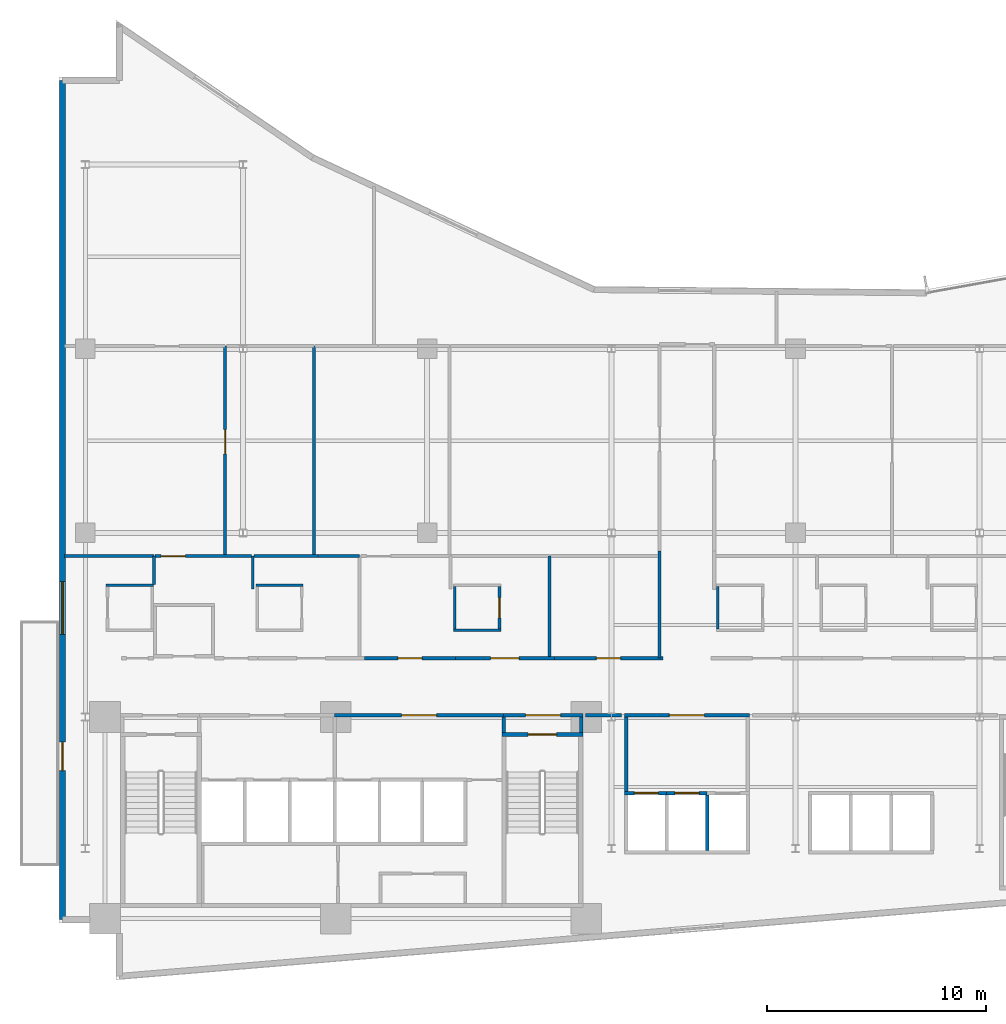
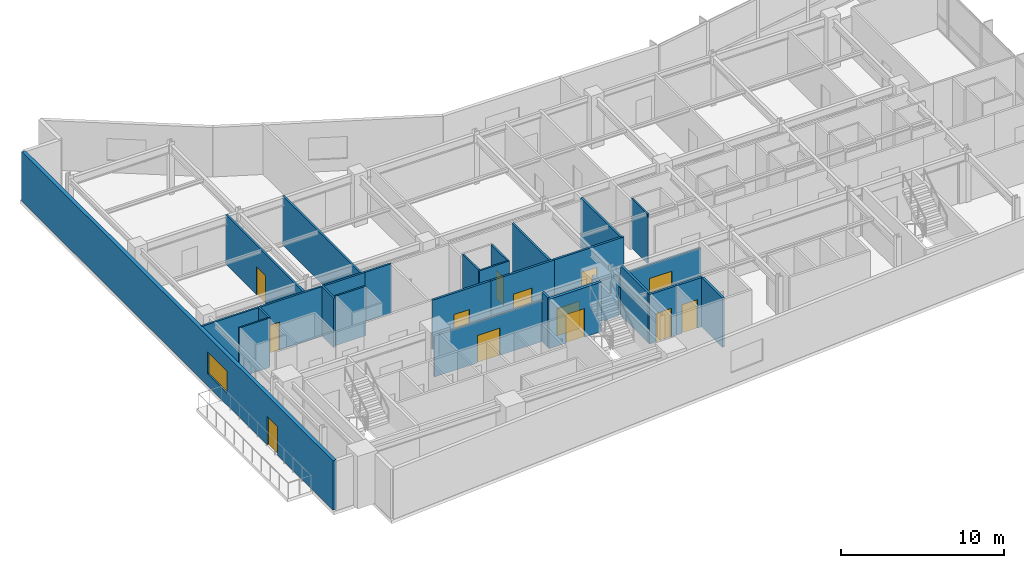
# One storey, part 13 of 20: 31 walls, 13 doors, 1 window, 14 openings.
"""IFC4 building model written with IfcOpenShell, lengths in metres."""

from ifc_helpers import new_model, si_unit, direction, frame, frame_2d, origin, place, context, subcontext, project, spatial, rectangle, extrude, material, layer, layer_set, type_object, element, fill, save


model = new_model("IFC4")

# Units and contexts
model_context = context("Model", 3, precision=1e-05, world=origin(), true_north=direction((0.0, 1.0)))
body_context = subcontext(model_context, "Body", "Model", "MODEL_VIEW")
ifc_project = project(units=[si_unit("LENGTHUNIT", "METRE"), si_unit("AREAUNIT", "SQUARE_METRE"), si_unit("VOLUMEUNIT", "CUBIC_METRE"), si_unit("PLANEANGLEUNIT", "RADIAN"), si_unit("MASSUNIT", "GRAM", prefix="KILO")], contexts=[model_context])

# Site, building, storey
site_placement = place(None, origin())
site = spatial("IfcSite", under=ifc_project, at=site_placement, CompositionType="ELEMENT")
building_placement = place(site_placement, origin())
building = spatial("IfcBuilding", under=site, at=building_placement, Name="Varnakote Quay Hospital", CompositionType="ELEMENT")
storey_placement = place(building_placement, frame((0.0, 0.0, 58.050048828125)))
storey = spatial("IfcBuildingStorey", under=building, at=storey_placement, Name="L14", CompositionType="ELEMENT", Elevation=58.050048828125)

# Wall, opening, door
ifc_material_1 = material(Name="Fire-rated acoustic gypsum stud wall", Category="gypsum")
ifc_layer_1 = layer(ifc_material_1, 0.159912109375)
ifc_layer_set_1 = layer_set([ifc_layer_1], Name="Fire-rated acoustic gypsum stud wall")
wall_type_1 = type_object("IfcWallType", Name="WL-COMP-160", PredefinedType="PARTITIONING", material=ifc_layer_set_1)
wall_1_placement = place(storey_placement, frame((12.580078125, 12.080078125, 0.0), z_axis=(0.0, 0.0, 1.0), x_axis=(1.0, 0.0, 0.0)))
wall_1 = element("IfcWall", 1, at=wall_1_placement, inside=storey, type_object=wall_type_1, Name="L14 Clinical Bed Lift Lobby Wall", PredefinedType="PARTITIONING", context=body_context, shape_type="SweptSolid", body=[
    extrude(rectangle(XDim=7.699951171875, YDim=0.159912109375, at=frame_2d((3.85009765625, 0.0))), origin(), (0.0, 0.0, 1.0), 3.072998046875),
])
opening_1_placement = place(wall_1_placement, frame((3.050048828125, 0.0, 0.0)))
opening_1 = element("IfcOpeningElement", 2, at=opening_1_placement, cuts=wall_1, Name="Opening D-SVL-L14", PredefinedType="OPENING", context=body_context, shape_type="SweptSolid", body=[
    extrude(rectangle(XDim=1.60009765625, YDim=2.050048828125, at=frame_2d((0.800048828125, 1.02490234375))), frame((0.0, 0.08984375, 0.0), z_axis=(0.0, -1.0, 0.0), x_axis=(1.0, 0.0, 0.0)), (0.0, 0.0, 1.0), 0.179931640625),
])
ifc_material_2 = material(Name="Fire-rated double smoke lobby door")
door_type_1 = type_object("IfcDoorType", Name="DR-LOBBY-FD60S-1600x2150", OperationType="NOTDEFINED", PredefinedType="DOOR", material=ifc_material_2)
door_1_placement = place(opening_1_placement, origin())
door_1 = element("IfcDoor", 3, at=door_1_placement, inside=storey, type_object=door_type_1, Name="L14 Clinical Core Smoke Vestibule Door", OperationType="DOUBLE_DOOR_SINGLE_SWING", OverallHeight=2.050048828125, OverallWidth=1.60009765625, PredefinedType="DOOR", context=body_context, shape_type="SweptSolid", body=[
    extrude(rectangle(XDim=1.60009765625, YDim=2.050048828125, at=frame_2d((0.800048828125, 1.02490234375))), frame((0.0, 0.02490234375, 0.0), z_axis=(0.0, -1.0, 0.0), x_axis=(1.0, 0.0, 0.0)), (0.0, 0.0, 1.0), 0.050048828125),
])
fill(opening_1, door_1)

# Wall
wall_2_placement = place(storey_placement, frame((20.280029296875, 11.300048828125, 0.0), z_axis=(0.0, 0.0, 1.0), x_axis=(0.0, 1.0, 0.0)))
element("IfcWall", 4, at=wall_2_placement, inside=storey, type_object=wall_type_1, Name="L14 East Stair Vestibule Divider Wall", PredefinedType="PARTITIONING", context=body_context, shape_type="SweptSolid", body=[
    extrude(rectangle(XDim=0.699951171875, YDim=0.159912109375, at=frame_2d((0.35009765625, 0.0))), origin(), (0.0, 0.0, 1.0), 3.7099609375),
])

# Wall, opening, door
wall_3_placement = place(storey_placement, frame((20.280029296875, 12.080078125, 0.0), z_axis=(0.0, 0.0, 1.0), x_axis=(1.0, 0.0, 0.0)))
wall_3 = element("IfcWall", 5, at=wall_3_placement, inside=storey, type_object=wall_type_1, Name="L14 East Stair Vestibule Smoke Wall", PredefinedType="PARTITIONING", context=body_context, shape_type="SweptSolid", body=[
    extrude(rectangle(XDim=3.619873046875, YDim=0.159912109375, at=frame_2d((1.81005859375, 0.0))), origin(), (0.0, 0.0, 1.0), 3.072998046875),
])
opening_2_placement = place(wall_3_placement, frame((1.010009765625, 0.0, 0.0)))
opening_2 = element("IfcOpeningElement", 6, at=opening_2_placement, cuts=wall_3, Name="Opening D-ST2L-L14", PredefinedType="OPENING", context=body_context, shape_type="SweptSolid", body=[
    extrude(rectangle(XDim=1.60009765625, YDim=2.050048828125, at=frame_2d((0.800048828125, 1.02490234375))), frame((0.0, 0.08984375, 0.0), z_axis=(0.0, -1.0, 0.0), x_axis=(1.0, 0.0, 0.0)), (0.0, 0.0, 1.0), 0.179931640625),
])
door_2_placement = place(opening_2_placement, origin())
door_2 = element("IfcDoor", 7, at=door_2_placement, inside=storey, type_object=door_type_1, Name="L14 East Stair Vestibule Smoke Door", OperationType="DOUBLE_DOOR_SINGLE_SWING", OverallHeight=2.050048828125, OverallWidth=1.60009765625, PredefinedType="DOOR", context=body_context, shape_type="SweptSolid", body=[
    extrude(rectangle(XDim=1.60009765625, YDim=2.050048828125, at=frame_2d((0.800048828125, 1.02490234375))), frame((0.0, 0.02490234375, 0.0), z_axis=(0.0, -1.0, 0.0), x_axis=(1.0, 0.0, 0.0)), (0.0, 0.0, 1.0), 0.050048828125),
])
fill(opening_2, door_2)

# Walls
wall_4_placement = place(storey_placement, frame((23.820068359375, 11.300048828125, 0.0), z_axis=(0.0, 0.0, 1.0), x_axis=(0.0, 1.0, 0.0)))
element("IfcWall", 8, at=wall_4_placement, inside=storey, type_object=wall_type_1, Name="L14 East Stair Vestibule East Wall", PredefinedType="PARTITIONING", context=body_context, shape_type="SweptSolid", body=[
    extrude(rectangle(XDim=0.699951171875, YDim=0.159912109375, at=frame_2d((0.35009765625, 0.0))), origin(), (0.0, 0.0, 1.0), 3.7099609375),
])
wall_5_placement = place(storey_placement, frame((25.8701171875, 8.610107421875, 0.0), z_axis=(0.0, 0.0, 1.0), x_axis=(0.0, 1.0, 0.0)))
element("IfcWall", 9, at=wall_5_placement, inside=storey, type_object=wall_type_1, Name="L14 Low-Rise Lift Lobby West Wall", PredefinedType="PARTITIONING", context=body_context, shape_type="SweptSolid", body=[
    extrude(rectangle(XDim=3.389892578125, YDim=0.159912109375, at=frame_2d((1.69482421875, 0.0))), origin(), (0.0, 0.0, 1.0), 3.7099609375),
])

# Wall, opening, door
wall_6_placement = place(storey_placement, frame((25.7900390625, 12.080078125, 0.0), z_axis=(0.0, 0.0, 1.0), x_axis=(1.0, 0.0, 0.0)))
wall_6 = element("IfcWall", 10, at=wall_6_placement, inside=storey, type_object=wall_type_1, Name="L14 Low-Rise Lift Lobby North Wall", PredefinedType="PARTITIONING", context=body_context, shape_type="SweptSolid", body=[
    extrude(rectangle(XDim=5.719970703125, YDim=0.159912109375, at=frame_2d((2.85986328125, 0.0))), origin(), (0.0, 0.0, 1.0), 3.072998046875),
])
opening_3_placement = place(wall_6_placement, frame((2.06005859375, 0.0, 0.0)))
opening_3 = element("IfcOpeningElement", 11, at=opening_3_placement, cuts=wall_6, Name="Opening D-PLL-L14", PredefinedType="OPENING", context=body_context, shape_type="SweptSolid", body=[
    extrude(rectangle(XDim=1.60009765625, YDim=2.050048828125, at=frame_2d((0.800048828125, 1.02490234375))), frame((0.0, 0.08984375, 0.0), z_axis=(0.0, -1.0, 0.0), x_axis=(1.0, 0.0, 0.0)), (0.0, 0.0, 1.0), 0.179931640625),
])
door_3_placement = place(opening_3_placement, origin())
door_3 = element("IfcDoor", 12, at=door_3_placement, inside=storey, type_object=door_type_1, Name="L14 Low-Rise Passenger Concourse Vestibule Door", OperationType="DOUBLE_DOOR_SINGLE_SWING", OverallHeight=2.050048828125, OverallWidth=1.60009765625, PredefinedType="DOOR", context=body_context, shape_type="SweptSolid", body=[
    extrude(rectangle(XDim=1.60009765625, YDim=2.050048828125, at=frame_2d((0.800048828125, 1.02490234375))), frame((0.0, 0.02490234375, 0.0), z_axis=(0.0, -1.0, 0.0), x_axis=(1.0, 0.0, 0.0)), (0.0, 0.0, 1.0), 0.050048828125),
])
fill(opening_3, door_3)

# Walls
wall_7_placement = place(storey_placement, frame((24.02001953125, 12.080078125, 0.0), z_axis=(0.0, 0.0, 1.0), x_axis=(1.0, 0.0, 0.0)))
element("IfcWall", 13, at=wall_7_placement, inside=storey, type_object=wall_type_1, Name="L14 Corridor South Gap Wall", PredefinedType="PARTITIONING", context=body_context, shape_type="SweptSolid", body=[
    extrude(rectangle(XDim=1.64990234375, YDim=0.159912109375, at=frame_2d((0.824951171875, 0.0))), origin(), (0.0, 0.0, 1.0), 3.072998046875),
])
ifc_material_3 = material(Name="Moisture-resistant bathroom partition", Category="gypsum")
ifc_layer_2 = layer(ifc_material_3, 0.114990234375)
ifc_layer_set_2 = layer_set([ifc_layer_2], Name="Moisture-resistant bathroom partition")
wall_type_2 = type_object("IfcWallType", Name="WL-ENS-115", PredefinedType="PARTITIONING", material=ifc_layer_set_2)
for number, where, z_axis, x_axis, name in (
    (14, (2.155029296875, 18.017578125, 0.0), (0.0, 0.0, 1.0), (1.0, 0.0, 0.0), "L14 Inpatient En-Suite Bathroom 01 N Wall"),
    (15, (8.985107421875, 18.017578125, 0.0), (0.0, 0.0, 1.0), (1.0, 0.0, 0.0), "L14 Inpatient En-Suite Bathroom 02 N Wall"),
):
    element("IfcWall", number, at=place(storey_placement, frame(where, z_axis=z_axis, x_axis=x_axis)), inside=storey, type_object=wall_type_2, Name=name, PredefinedType="PARTITIONING", context=body_context, shape_type="SweptSolid", body=[
        extrude(rectangle(XDim=2.14990234375, YDim=0.114990234375, at=frame_2d((1.074951171875, 0.0))), origin(), (0.0, 0.0, 1.0), 3.7099609375),
    ])
wall_8_placement = place(storey_placement, frame((18.0048828125, 15.952392578125, 0.0), z_axis=(0.0, 0.0, 1.0), x_axis=(1.0, 0.0, 0.0)))
element("IfcWall", 16, at=wall_8_placement, inside=storey, type_object=wall_type_2, Name="L14 Inpatient En-Suite Bathroom 03 S Wall", PredefinedType="PARTITIONING", context=body_context, shape_type="SweptSolid", body=[
    extrude(rectangle(XDim=2.150146484375, YDim=0.114990234375, at=frame_2d((1.0751953125, 0.0))), origin(), (0.0, 0.0, 1.0), 3.7099609375),
])
wall_9_placement = place(storey_placement, frame((18.0625, 16.010009765625, 0.0), z_axis=(0.0, 0.0, 1.0), x_axis=(0.0, 1.0, 0.0)))
element("IfcWall", 17, at=wall_9_placement, inside=storey, type_object=wall_type_2, Name="L14 Inpatient En-Suite Bathroom 03 W Wall", PredefinedType="PARTITIONING", context=body_context, shape_type="SweptSolid", body=[
    extrude(rectangle(XDim=1.949951171875, YDim=0.114990234375, at=frame_2d((0.97509765625, 0.0))), origin(), (0.0, 0.0, 1.0), 3.7099609375),
])

# Wall, opening, door
wall_10_placement = place(storey_placement, frame((20.097412109375, 16.010009765625, 0.0), z_axis=(0.0, 0.0, 1.0), x_axis=(0.0, 1.0, 0.0)))
wall_10 = element("IfcWall", 18, at=wall_10_placement, inside=storey, type_object=wall_type_2, Name="L14 Inpatient En-Suite Bathroom 03 E Wall", PredefinedType="PARTITIONING", context=body_context, shape_type="SweptSolid", body=[
    extrude(rectangle(XDim=1.949951171875, YDim=0.114990234375, at=frame_2d((0.97509765625, 0.0))), origin(), (0.0, 0.0, 1.0), 3.7099609375),
])
opening_4_placement = place(wall_10_placement, frame((0.514892578125, 0.0, 0.0)))
opening_4 = element("IfcOpeningElement", 19, at=opening_4_placement, cuts=wall_10, Name="Opening D-L14-ENS03", PredefinedType="OPENING", context=body_context, shape_type="SweptSolid", body=[
    extrude(rectangle(XDim=0.919921875, YDim=2.10009765625, at=frame_2d((0.4599609375, 1.050048828125))), frame((0.0, 0.0673828125, 0.0), z_axis=(0.0, -1.0, 0.0), x_axis=(1.0, 0.0, 0.0)), (0.0, 0.0, 1.0), 0.135009765625),
])
ifc_material_4 = material(Name="Moisture-sealed en-suite bathroom door")
door_type_2 = type_object("IfcDoorType", Name="DR-ENS-920x2100", OperationType="NOTDEFINED", PredefinedType="DOOR", material=ifc_material_4)
door_4_placement = place(opening_4_placement, origin())
door_4 = element("IfcDoor", 20, at=door_4_placement, inside=storey, type_object=door_type_2, Name="L14 Inpatient En-Suite Bathroom 03 Door", OperationType="SINGLE_SWING_LEFT", OverallHeight=2.10009765625, OverallWidth=0.919921875, PredefinedType="DOOR", context=body_context, shape_type="SweptSolid", body=[
    extrude(rectangle(XDim=0.919921875, YDim=2.10009765625, at=frame_2d((0.4599609375, 1.050048828125))), frame((0.0, 0.02490234375, 0.0), z_axis=(0.0, -1.0, 0.0), x_axis=(1.0, 0.0, 0.0)), (0.0, 0.0, 1.0), 0.050048828125),
])
fill(opening_4, door_4)

# Wall
wall_11_placement = place(storey_placement, frame((30.0625, 16.010009765625, 0.0), z_axis=(0.0, 0.0, 1.0), x_axis=(0.0, 1.0, 0.0)))
element("IfcWall", 21, at=wall_11_placement, inside=storey, type_object=wall_type_2, Name="L14 Inpatient En-Suite Bathroom 04 W Wall", PredefinedType="PARTITIONING", context=body_context, shape_type="SweptSolid", body=[
    extrude(rectangle(XDim=1.949951171875, YDim=0.114990234375, at=frame_2d((0.97509765625, 0.0))), origin(), (0.0, 0.0, 1.0), 3.7099609375),
])

# Wall, openings, door, window
ifc_material_5 = material(Name="Precast concrete N50 (f'c 50 MPa)", Category="concrete")
ifc_layer_3 = layer(ifc_material_5, 0.260009765625)
ifc_layer_set_3 = layer_set([ifc_layer_3], Name="Precast concrete N50 (f'c 50 MPa)")
wall_type_3 = type_object("IfcWallType", Name="WL-EXT-BRICK-260", PredefinedType="STANDARD", material=ifc_layer_set_3)
wall_12_placement = place(storey_placement, frame((0.159912109375, 41.0400390625, 0.0), z_axis=(0.0, 0.0, 1.0), x_axis=(0.0, -1.0, 0.0)))
wall_12 = element("IfcWall", 22, at=wall_12_placement, inside=storey, type_object=wall_type_3, Name="L14 Healing Terrace Portal Brick Wall", PredefinedType="STANDARD", context=body_context, shape_type="SweptSolid", body=[
    extrude(rectangle(XDim=38.280029296875, YDim=0.260009765625, at=frame_2d((19.14013671875, 0.0))), origin(), (0.0, 0.0, 1.0), 3.7099609375),
])
opening_5_placement = place(wall_12_placement, frame((30.186767578125, 0.0, 0.0)))
opening_5 = element("IfcOpeningElement", 23, at=opening_5_placement, cuts=wall_12, Name="Opening DT-L14", PredefinedType="OPENING", context=body_context, shape_type="SweptSolid", body=[
    extrude(rectangle(XDim=1.300048828125, YDim=2.14990234375, at=frame_2d((0.64990234375, 1.074951171875))), frame((0.0, 0.139892578125, 0.0), z_axis=(0.0, -1.0, 0.0), x_axis=(1.0, 0.0, 0.0)), (0.0, 0.0, 1.0), 0.280029296875),
])
opening_6_placement = place(wall_12_placement, frame((22.868896484375, 0.0, 0.89990234375)))
opening_6 = element("IfcOpeningElement", 24, at=opening_6_placement, cuts=wall_12, Name="Opening WN-0309", PredefinedType="OPENING", context=body_context, shape_type="SweptSolid", body=[
    extrude(rectangle(XDim=2.39990234375, YDim=1.64990234375, at=frame_2d((1.199951171875, 0.824951171875))), frame((0.0, 0.139892578125, 0.0), z_axis=(0.0, -1.0, 0.0), x_axis=(1.0, 0.0, 0.0)), (0.0, 0.0, 1.0), 0.280029296875),
])
ifc_material_6 = material(Name="Anodised aluminium glazed terrace door", Category="aluminium")
door_type_3 = type_object("IfcDoorType", Name="DR-EXT-TERR-1300x2150", OperationType="NOTDEFINED", PredefinedType="DOOR", material=ifc_material_6)
door_5_placement = place(opening_5_placement, origin())
door_5 = element("IfcDoor", 25, at=door_5_placement, inside=storey, type_object=door_type_3, Name="L14 Waterfront Healing Terrace Door", OperationType="SINGLE_SWING_LEFT", OverallHeight=2.14990234375, OverallWidth=1.300048828125, PredefinedType="DOOR", context=body_context, shape_type="SweptSolid", body=[
    extrude(rectangle(XDim=1.300048828125, YDim=2.14990234375, at=frame_2d((0.64990234375, 1.074951171875))), frame((0.0, 0.02490234375, 0.0), z_axis=(0.0, -1.0, 0.0), x_axis=(1.0, 0.0, 0.0)), (0.0, 0.0, 1.0), 0.050048828125),
])
fill(opening_5, door_5)
ifc_material_7 = material(Name="Double-glazed low-E solar glass", Category="glass")
window_type = type_object("IfcWindowType", Name="WIN-CLIN-2400x1650", PartitioningType="SINGLE_PANEL", PredefinedType="WINDOW", material=ifc_material_7)
window_placement = place(opening_6_placement, origin())
window = element("IfcWindow", 26, at=window_placement, inside=storey, type_object=window_type, Name="L14 Solar-Control Clinical Window", OverallHeight=1.64990234375, OverallWidth=2.39990234375, PartitioningType="SINGLE_PANEL", PredefinedType="WINDOW", context=body_context, shape_type="SweptSolid", body=[
    extrude(rectangle(XDim=2.39990234375, YDim=1.64990234375, at=frame_2d((1.199951171875, 0.824951171875))), frame((0.0, 0.030029296875, 0.0), z_axis=(0.0, -1.0, 0.0), x_axis=(1.0, 0.0, 0.0)), (0.0, 0.0, 1.0), 0.06005859375),
])
fill(opening_6, window)

# Wall
ifc_material_8 = material(Name="Concrete N50 (f'c 50 MPa)", Category="concrete")
ifc_layer_4 = layer(ifc_material_8, 0.14990234375)
ifc_layer_set_4 = layer_set([ifc_layer_4], Name="Concrete N50 (f'c 50 MPa)")
wall_type_4 = type_object("IfcWallType", Name="WL-SHAFT-N50-150", PredefinedType="SHEAR", material=ifc_layer_set_4)
wall_13_placement = place(storey_placement, frame((29.574951171875, 5.89990234375, 0.0), z_axis=(0.0, 0.0, 1.0), x_axis=(0.0, 1.0, 0.0)))
element("IfcWall", 27, at=wall_13_placement, inside=storey, type_object=wall_type_4, Name="L14 LF-PL2 Hoistway Divider Wall", PredefinedType="SHEAR", context=body_context, shape_type="SweptSolid", body=[
    extrude(rectangle(XDim=2.550048828125, YDim=0.14990234375, at=frame_2d((1.27490234375, 0.0))), origin(), (0.0, 0.0, 1.0), 3.7099609375),
])

# Wall, opening, door
ifc_material_9 = material(Name="Concrete N50 (f'c 50 MPa)", Category="concrete")
ifc_layer_5 = layer(ifc_material_9, 0.159912109375)
ifc_layer_set_5 = layer_set([ifc_layer_5], Name="Concrete N50 (f'c 50 MPa)")
wall_type_5 = type_object("IfcWallType", Name="WL-SHAFT-N50-160", PredefinedType="SHEAR", material=ifc_layer_set_5)
wall_14_placement = place(storey_placement, frame((25.7900390625, 8.530029296875, 0.0), z_axis=(0.0, 0.0, 1.0), x_axis=(1.0, 0.0, 0.0)))
wall_14 = element("IfcWall", 28, at=wall_14_placement, inside=storey, type_object=wall_type_5, Name="L14 LF-PL1 Hoistway Front Wall", PredefinedType="SHEAR", context=body_context, shape_type="SweptSolid", body=[
    extrude(rectangle(XDim=1.93505859375, YDim=0.159912109375, at=frame_2d((0.967529296875, 0.0))), origin(), (0.0, 0.0, 1.0), 3.7099609375),
])
opening_7_placement = place(wall_14_placement, frame((0.4599609375, 0.0, 0.0)))
opening_7 = element("IfcOpeningElement", 29, at=opening_7_placement, cuts=wall_14, Name="Opening LD-PL1-L14", PredefinedType="OPENING", context=body_context, shape_type="SweptSolid", body=[
    extrude(rectangle(XDim=1.10009765625, YDim=2.14990234375, at=frame_2d((0.550048828125, 1.074951171875))), frame((0.0, 0.08984375, 0.0), z_axis=(0.0, -1.0, 0.0), x_axis=(1.0, 0.0, 0.0)), (0.0, 0.0, 1.0), 0.179931640625),
])
ifc_material_10 = material(Name="Brushed bronze lift landing sliding door")
door_type_4 = type_object("IfcDoorType", Name="DR-LIFT-LD-1100x2150", OperationType="NOTDEFINED", PredefinedType="DOOR", material=ifc_material_10)
door_6_placement = place(opening_7_placement, origin())
door_6 = element("IfcDoor", 30, at=door_6_placement, inside=storey, type_object=door_type_4, Name="L14 LF-PL1 Lift Landing Sliding Door", OperationType="SLIDING_TO_LEFT", OverallHeight=2.14990234375, OverallWidth=1.10009765625, PredefinedType="DOOR", context=body_context, shape_type="SweptSolid", body=[
    extrude(rectangle(XDim=1.10009765625, YDim=2.14990234375, at=frame_2d((0.550048828125, 1.074951171875))), frame((0.0, 0.02490234375, 0.0), z_axis=(0.0, -1.0, 0.0), x_axis=(1.0, 0.0, 0.0)), (0.0, 0.0, 1.0), 0.050048828125),
])
fill(opening_7, door_6)

wall_15_placement = place(storey_placement, frame((27.72509765625, 8.530029296875, 0.0), z_axis=(0.0, 0.0, 1.0), x_axis=(1.0, 0.0, 0.0)))
wall_15 = element("IfcWall", 31, at=wall_15_placement, inside=storey, type_object=wall_type_5, Name="L14 LF-PL2 Hoistway Front Wall", PredefinedType="SHEAR", context=body_context, shape_type="SweptSolid", body=[
    extrude(rectangle(XDim=1.849853515625, YDim=0.159912109375, at=frame_2d((0.9248046875, 0.0))), origin(), (0.0, 0.0, 1.0), 3.7099609375),
])
opening_8_placement = place(wall_15_placement, frame((0.375, 0.0, 0.0)))
opening_8 = element("IfcOpeningElement", 32, at=opening_8_placement, cuts=wall_15, Name="Opening LD-PL2-L14", PredefinedType="OPENING", context=body_context, shape_type="SweptSolid", body=[
    extrude(rectangle(XDim=1.10009765625, YDim=2.14990234375, at=frame_2d((0.550048828125, 1.074951171875))), frame((0.0, 0.08984375, 0.0), z_axis=(0.0, -1.0, 0.0), x_axis=(1.0, 0.0, 0.0)), (0.0, 0.0, 1.0), 0.179931640625),
])
door_7_placement = place(opening_8_placement, origin())
door_7 = element("IfcDoor", 33, at=door_7_placement, inside=storey, type_object=door_type_4, Name="L14 LF-PL2 Lift Landing Sliding Door", OperationType="SLIDING_TO_LEFT", OverallHeight=2.14990234375, OverallWidth=1.10009765625, PredefinedType="DOOR", context=body_context, shape_type="SweptSolid", body=[
    extrude(rectangle(XDim=1.10009765625, YDim=2.14990234375, at=frame_2d((0.550048828125, 1.074951171875))), frame((0.0, 0.02490234375, 0.0), z_axis=(0.0, -1.0, 0.0), x_axis=(1.0, 0.0, 0.0)), (0.0, 0.0, 1.0), 0.050048828125),
])
fill(opening_8, door_7)

ifc_material_11 = material(Name="Concrete N50 (f'c 50 MPa)", Category="concrete")
ifc_layer_6 = layer(ifc_material_11, 0.199951171875)
ifc_layer_set_6 = layer_set([ifc_layer_6], Name="Concrete N50 (f'c 50 MPa)")
wall_type_6 = type_object("IfcWallType", Name="WL-SHAFT-N50-200", PredefinedType="SHEAR", material=ifc_layer_set_6)
wall_16_placement = place(storey_placement, frame((20.199951171875, 11.199951171875, 0.0), z_axis=(0.0, 0.0, 1.0), x_axis=(1.0, 0.0, 0.0)))
wall_16 = element("IfcWall", 34, at=wall_16_placement, inside=storey, type_object=wall_type_6, Name="L14 Stair ST2 Exit Wall", PredefinedType="SHEAR", context=body_context, shape_type="SweptSolid", body=[
    extrude(rectangle(XDim=3.699951171875, YDim=0.199951171875, at=frame_2d((1.85009765625, 0.0))), origin(), (0.0, 0.0, 1.0), 3.7099609375),
])
opening_9_placement = place(wall_16_placement, frame((1.199951171875, 0.0, 0.0)))
opening_9 = element("IfcOpeningElement", 35, at=opening_9_placement, cuts=wall_16, Name="Opening D-ST2-L14", PredefinedType="OPENING", context=body_context, shape_type="SweptSolid", body=[
    extrude(rectangle(XDim=1.300048828125, YDim=2.14990234375, at=frame_2d((0.64990234375, 1.074951171875))), frame((0.0, 0.10986328125, 0.0), z_axis=(0.0, -1.0, 0.0), x_axis=(1.0, 0.0, 0.0)), (0.0, 0.0, 1.0), 0.219970703125),
])
ifc_material_12 = material(Name="Fire-rated ceramic-glazed timber exit door", Category="wood")
door_type_5 = type_object("IfcDoorType", Name="DR-STAIR-FD60S-1300x2150", OperationType="NOTDEFINED", PredefinedType="DOOR", material=ifc_material_12)
door_8_placement = place(opening_9_placement, origin())
door_8 = element("IfcDoor", 36, at=door_8_placement, inside=storey, type_object=door_type_5, Name="L14 Stair ST2 Fire Exit Door", OperationType="SINGLE_SWING_LEFT", OverallHeight=2.14990234375, OverallWidth=1.300048828125, PredefinedType="DOOR", context=body_context, shape_type="SweptSolid", body=[
    extrude(rectangle(XDim=1.300048828125, YDim=2.14990234375, at=frame_2d((0.64990234375, 1.074951171875))), frame((0.0, 0.02490234375, 0.0), z_axis=(0.0, -1.0, 0.0), x_axis=(1.0, 0.0, 0.0)), (0.0, 0.0, 1.0), 0.050048828125),
])
fill(opening_9, door_8)

# Walls
ifc_material_13 = material(Name="Smoke-proof clinical partition", Category="gypsum")
ifc_layer_7 = layer(ifc_material_13, 0.135009765625)
ifc_layer_set_7 = layer_set([ifc_layer_7], Name="Smoke-proof clinical partition")
wall_type_7 = type_object("IfcWallType", Name="WL-SMOKE-135", PredefinedType="PARTITIONING", material=ifc_layer_set_7)
wall_17_placement = place(storey_placement, frame((4.330078125, 18.0400390625, 0.0), z_axis=(0.0, 0.0, 1.0), x_axis=(0.0, 1.0, 0.0)))
element("IfcWall", 37, at=wall_17_placement, inside=storey, type_object=wall_type_7, Name="L14 Clinical Interior Partition", PredefinedType="PARTITIONING", context=body_context, shape_type="SweptSolid", body=[
    extrude(rectangle(XDim=1.300048828125, YDim=0.135009765625, at=frame_2d((0.64990234375, 0.0))), origin(), (0.0, 0.0, 1.0), 3.7099609375),
])
wall_18_placement = place(storey_placement, frame((4.330078125, 19.340087890625, 0.0), z_axis=(0.0, 0.0, 1.0), x_axis=(-1.0, 0.0, 0.0)))
element("IfcWall", 38, at=wall_18_placement, inside=storey, type_object=wall_type_7, Name="L14 Clinical Interior Partition", PredefinedType="PARTITIONING", context=body_context, shape_type="SweptSolid", body=[
    extrude(rectangle(XDim=4.090087890625, YDim=0.135009765625, at=frame_2d((2.044921875, 0.0))), origin(), (0.0, 0.0, 1.0), 3.7099609375),
])
wall_19_placement = place(storey_placement, frame((8.840087890625, 17.83251953125, 0.0), z_axis=(0.0, 0.0, 1.0), x_axis=(0.0, 1.0, 0.0)))
element("IfcWall", 39, at=wall_19_placement, inside=storey, type_object=wall_type_7, Name="L14 Clinical Interior Partition", PredefinedType="PARTITIONING", context=body_context, shape_type="SweptSolid", body=[
    extrude(rectangle(XDim=1.507568359375, YDim=0.135009765625, at=frame_2d((0.75390625, 0.0))), origin(), (0.0, 0.0, 1.0), 3.7099609375),
])

# Wall, opening, door
wall_20_placement = place(storey_placement, frame((8.782470703125, 19.340087890625, 0.0), z_axis=(0.0, 0.0, 1.0), x_axis=(-1.0, 0.0, 0.0)))
wall_20 = element("IfcWall", 40, at=wall_20_placement, inside=storey, type_object=wall_type_7, Name="L14 Clinical Interior Partition", PredefinedType="PARTITIONING", context=body_context, shape_type="SweptSolid", body=[
    extrude(rectangle(XDim=4.39501953125, YDim=0.135009765625, at=frame_2d((2.197509765625, 0.0))), origin(), (0.0, 0.0, 1.0), 3.7099609375),
])
opening_10_placement = place(wall_20_placement, frame((3.022705078125, 0.0, 0.0)))
opening_10 = element("IfcOpeningElement", 41, at=opening_10_placement, cuts=wall_20, Name="Opening D-L14-DLNG", PredefinedType="OPENING", context=body_context, shape_type="SweptSolid", body=[
    extrude(rectangle(XDim=1.10009765625, YDim=2.10009765625, at=frame_2d((0.550048828125, 1.050048828125))), frame((0.0, 0.077392578125, 0.0), z_axis=(0.0, -1.0, 0.0), x_axis=(1.0, 0.0, 0.0)), (0.0, 0.0, 1.0), 0.155029296875),
])
ifc_material_14 = material(Name="Acoustic timber clinical consult door", Category="wood")
door_type_6 = type_object("IfcDoorType", Name="DR-CLIN-FD30S-1100x2100", OperationType="NOTDEFINED", PredefinedType="DOOR", material=ifc_material_14)
door_9_placement = place(opening_10_placement, origin())
door_9 = element("IfcDoor", 42, at=door_9_placement, inside=storey, type_object=door_type_6, Name="L14 Waterfront Patient & Family Dayroom Door", OperationType="SINGLE_SWING_RIGHT", OverallHeight=2.10009765625, OverallWidth=1.10009765625, PredefinedType="DOOR", context=body_context, shape_type="SweptSolid", body=[
    extrude(rectangle(XDim=1.10009765625, YDim=2.10009765625, at=frame_2d((0.550048828125, 1.050048828125))), frame((0.0, 0.02490234375, 0.0), z_axis=(0.0, -1.0, 0.0), x_axis=(1.0, 0.0, 0.0)), (0.0, 0.0, 1.0), 0.050048828125),
])
fill(opening_10, door_9)

# Walls
wall_21_placement = place(storey_placement, frame((11.82470703125, 19.340087890625, 0.0), z_axis=(0.0, 0.0, 1.0), x_axis=(-1.0, 0.0, 0.0)))
element("IfcWall", 43, at=wall_21_placement, inside=storey, type_object=wall_type_7, Name="L14 Clinical Interior Partition", PredefinedType="PARTITIONING", context=body_context, shape_type="SweptSolid", body=[
    extrude(rectangle(XDim=2.92724609375, YDim=0.135009765625, at=frame_2d((1.463623046875, 0.0))), origin(), (0.0, 0.0, 1.0), 3.7099609375),
])
wall_22_placement = place(storey_placement, frame((13.7099609375, 19.340087890625, 0.0), z_axis=(0.0, 0.0, 1.0), x_axis=(-1.0, 0.0, 0.0)))
element("IfcWall", 44, at=wall_22_placement, inside=storey, type_object=wall_type_7, Name="L14 Clinical Interior Partition", PredefinedType="PARTITIONING", context=body_context, shape_type="SweptSolid", body=[
    extrude(rectangle(XDim=1.88330078125, YDim=0.135009765625, at=frame_2d((0.941650390625, 0.0))), origin(), (0.0, 0.0, 1.0), 3.7099609375),
])
wall_23_placement = place(storey_placement, frame((22.3701171875, 14.760009765625, 0.0), z_axis=(0.0, 0.0, 1.0), x_axis=(0.0, 1.0, 0.0)))
element("IfcWall", 45, at=wall_23_placement, inside=storey, type_object=wall_type_7, Name="L14 Clinical Interior Partition", PredefinedType="PARTITIONING", context=body_context, shape_type="SweptSolid", body=[
    extrude(rectangle(XDim=4.580078125, YDim=0.135009765625, at=frame_2d((2.2900390625, 0.0))), origin(), (0.0, 0.0, 1.0), 3.7099609375),
])

# Wall, opening, door
wall_24_placement = place(storey_placement, frame((7.580078125, 19.3974609375, 0.0), z_axis=(0.0, 0.0, 1.0), x_axis=(0.0, 1.0, 0.0)))
wall_24 = element("IfcWall", 46, at=wall_24_placement, inside=storey, type_object=wall_type_7, Name="L14 Clinical Interior Partition", PredefinedType="PARTITIONING", context=body_context, shape_type="SweptSolid", body=[
    extrude(rectangle(XDim=9.5224609375, YDim=0.135009765625, at=frame_2d((4.76123046875, 0.0))), origin(), (0.0, 0.0, 1.0), 3.7099609375),
])
opening_11_placement = place(wall_24_placement, frame((4.6123046875, 0.0, 0.0)))
opening_11 = element("IfcOpeningElement", 47, at=opening_11_placement, cuts=wall_24, Name="Opening D-L14-WPNT", PredefinedType="OPENING", context=body_context, shape_type="SweptSolid", body=[
    extrude(rectangle(XDim=1.10009765625, YDim=2.10009765625, at=frame_2d((0.550048828125, 1.050048828125))), frame((0.0, 0.077392578125, 0.0), z_axis=(0.0, -1.0, 0.0), x_axis=(1.0, 0.0, 0.0)), (0.0, 0.0, 1.0), 0.155029296875),
])
door_10_placement = place(opening_11_placement, origin())
door_10 = element("IfcDoor", 48, at=door_10_placement, inside=storey, type_object=door_type_6, Name="L14 Ward Clinical Nutrition Pantry Door", OperationType="SINGLE_SWING_RIGHT", OverallHeight=2.10009765625, OverallWidth=1.10009765625, PredefinedType="DOOR", context=body_context, shape_type="SweptSolid", body=[
    extrude(rectangle(XDim=1.10009765625, YDim=2.10009765625, at=frame_2d((0.550048828125, 1.050048828125))), frame((0.0, 0.02490234375, 0.0), z_axis=(0.0, -1.0, 0.0), x_axis=(1.0, 0.0, 0.0)), (0.0, 0.0, 1.0), 0.050048828125),
])
fill(opening_11, door_10)

# Wall
wall_25_placement = place(storey_placement, frame((11.6298828125, 19.3974609375, 0.0), z_axis=(0.0, 0.0, 1.0), x_axis=(0.0, 1.0, 0.0)))
element("IfcWall", 49, at=wall_25_placement, inside=storey, type_object=wall_type_7, Name="L14 Clinical Interior Partition", PredefinedType="PARTITIONING", context=body_context, shape_type="SweptSolid", body=[
    extrude(rectangle(XDim=9.5224609375, YDim=0.135009765625, at=frame_2d((4.76123046875, 0.0))), origin(), (0.0, 0.0, 1.0), 3.7099609375),
])

# Wall, opening, door
ifc_material_15 = material(Name="Fire-rated clinical gypsum partition", Category="gypsum")
ifc_layer_8 = layer(ifc_material_15, 0.14990234375)
ifc_layer_set_8 = layer_set([ifc_layer_8], Name="Fire-rated clinical gypsum partition")
wall_type_8 = type_object("IfcWallType", Name="WL-WARD-150", PredefinedType="PARTITIONING", material=ifc_layer_set_8)
wall_26_placement = place(storey_placement, frame((18.0859375, 14.679931640625, 0.0), z_axis=(0.0, 0.0, 1.0), x_axis=(-1.0, 0.0, 0.0)))
wall_26 = element("IfcWall", 50, at=wall_26_placement, inside=storey, type_object=wall_type_8, Name="L14 Clinical Interior Partition", PredefinedType="PARTITIONING", context=body_context, shape_type="SweptSolid", body=[
    extrude(rectangle(XDim=4.14794921875, YDim=0.14990234375, at=frame_2d((2.073974609375, 0.0))), origin(), (0.0, 0.0, 1.0), 3.7099609375),
])
opening_12_placement = place(wall_26_placement, frame((1.52392578125, 0.0, 0.0)))
opening_12 = element("IfcOpeningElement", 51, at=opening_12_placement, cuts=wall_26, Name="Opening D-L14-MD02", PredefinedType="OPENING", context=body_context, shape_type="SweptSolid", body=[
    extrude(rectangle(XDim=1.10009765625, YDim=2.10009765625, at=frame_2d((0.550048828125, 1.050048828125))), frame((0.0, 0.0849609375, 0.0), z_axis=(0.0, -1.0, 0.0), x_axis=(1.0, 0.0, 0.0)), (0.0, 0.0, 1.0), 0.169921875),
])
door_11_placement = place(opening_12_placement, origin())
door_11 = element("IfcDoor", 52, at=door_11_placement, inside=storey, type_object=door_type_6, Name="L14 Ward Clinical Governance Office Door", OperationType="SINGLE_SWING_RIGHT", OverallHeight=2.10009765625, OverallWidth=1.10009765625, PredefinedType="DOOR", context=body_context, shape_type="SweptSolid", body=[
    extrude(rectangle(XDim=1.10009765625, YDim=2.10009765625, at=frame_2d((0.550048828125, 1.050048828125))), frame((0.0, 0.02490234375, 0.0), z_axis=(0.0, -1.0, 0.0), x_axis=(1.0, 0.0, 0.0)), (0.0, 0.0, 1.0), 0.050048828125),
])
fill(opening_12, door_11)

wall_27_placement = place(storey_placement, frame((22.595947265625, 14.679931640625, 0.0), z_axis=(0.0, 0.0, 1.0), x_axis=(-1.0, 0.0, 0.0)))
wall_27 = element("IfcWall", 53, at=wall_27_placement, inside=storey, type_object=wall_type_8, Name="L14 Clinical Interior Partition", PredefinedType="PARTITIONING", context=body_context, shape_type="SweptSolid", body=[
    extrude(rectangle(XDim=4.508056640625, YDim=0.14990234375, at=frame_2d((2.25390625, 0.0))), origin(), (0.0, 0.0, 1.0), 3.7099609375),
])
opening_13_placement = place(wall_27_placement, frame((1.60400390625, 0.0, 0.0)))
opening_13 = element("IfcOpeningElement", 54, at=opening_13_placement, cuts=wall_27, Name="Opening D-L14-BR03", PredefinedType="OPENING", context=body_context, shape_type="SweptSolid", body=[
    extrude(rectangle(XDim=1.300048828125, YDim=2.14990234375, at=frame_2d((0.64990234375, 1.074951171875))), frame((0.0, 0.0849609375, 0.0), z_axis=(0.0, -1.0, 0.0), x_axis=(1.0, 0.0, 0.0)), (0.0, 0.0, 1.0), 0.169921875),
])
ifc_material_16 = material(Name="Solid-core timber clinical bed door", Category="wood")
door_type_7 = type_object("IfcDoorType", Name="DR-WARD-FD30S-1300x2150", OperationType="NOTDEFINED", PredefinedType="DOOR", material=ifc_material_16)
door_12_placement = place(opening_13_placement, origin())
door_12 = element("IfcDoor", 55, at=door_12_placement, inside=storey, type_object=door_type_7, Name="L14 Resident Care Bedroom 03 Door", OperationType="SINGLE_SWING_LEFT", OverallHeight=2.14990234375, OverallWidth=1.300048828125, PredefinedType="DOOR", context=body_context, shape_type="SweptSolid", body=[
    extrude(rectangle(XDim=1.300048828125, YDim=2.14990234375, at=frame_2d((0.64990234375, 1.074951171875))), frame((0.0, 0.02490234375, 0.0), z_axis=(0.0, -1.0, 0.0), x_axis=(1.0, 0.0, 0.0)), (0.0, 0.0, 1.0), 0.050048828125),
])
fill(opening_13, door_12)

wall_28_placement = place(storey_placement, frame((27.5458984375, 14.679931640625, 0.0), z_axis=(0.0, 0.0, 1.0), x_axis=(-1.0, 0.0, 0.0)))
wall_28 = element("IfcWall", 56, at=wall_28_placement, inside=storey, type_object=wall_type_8, Name="L14 Clinical Interior Partition", PredefinedType="PARTITIONING", context=body_context, shape_type="SweptSolid", body=[
    extrude(rectangle(XDim=4.947998046875, YDim=0.14990234375, at=frame_2d((2.47412109375, 0.0))), origin(), (0.0, 0.0, 1.0), 3.7099609375),
])
opening_14_placement = place(wall_28_placement, frame((1.924072265625, 0.0, 0.0)))
opening_14 = element("IfcOpeningElement", 57, at=opening_14_placement, cuts=wall_28, Name="Opening D-L14-MD03", PredefinedType="OPENING", context=body_context, shape_type="SweptSolid", body=[
    extrude(rectangle(XDim=1.10009765625, YDim=2.10009765625, at=frame_2d((0.550048828125, 1.050048828125))), frame((0.0, 0.0849609375, 0.0), z_axis=(0.0, -1.0, 0.0), x_axis=(1.0, 0.0, 0.0)), (0.0, 0.0, 1.0), 0.169921875),
])
door_13_placement = place(opening_14_placement, origin())
door_13 = element("IfcDoor", 58, at=door_13_placement, inside=storey, type_object=door_type_6, Name="L14 Acute Telemetry Treatment Suite Door", OperationType="SINGLE_SWING_RIGHT", OverallHeight=2.10009765625, OverallWidth=1.10009765625, PredefinedType="DOOR", context=body_context, shape_type="SweptSolid", body=[
    extrude(rectangle(XDim=1.10009765625, YDim=2.10009765625, at=frame_2d((0.550048828125, 1.050048828125))), frame((0.0, 0.02490234375, 0.0), z_axis=(0.0, -1.0, 0.0), x_axis=(1.0, 0.0, 0.0)), (0.0, 0.0, 1.0), 0.050048828125),
])
fill(opening_14, door_13)

# Wall
wall_29_placement = place(storey_placement, frame((27.39990234375, 19.56591796875, 0.0), z_axis=(0.0, 0.0, 1.0), x_axis=(0.0, -1.0, 0.0)))
element("IfcWall", 59, at=wall_29_placement, inside=storey, type_object=wall_type_8, Name="L14 Clinical Interior Partition", PredefinedType="PARTITIONING", context=body_context, shape_type="SweptSolid", body=[
    extrude(rectangle(XDim=4.865966796875, YDim=0.14990234375, at=frame_2d((2.43310546875, 0.0))), origin(), (0.0, 0.0, 1.0), 3.7099609375),
])

save(model, "model.ifc")
